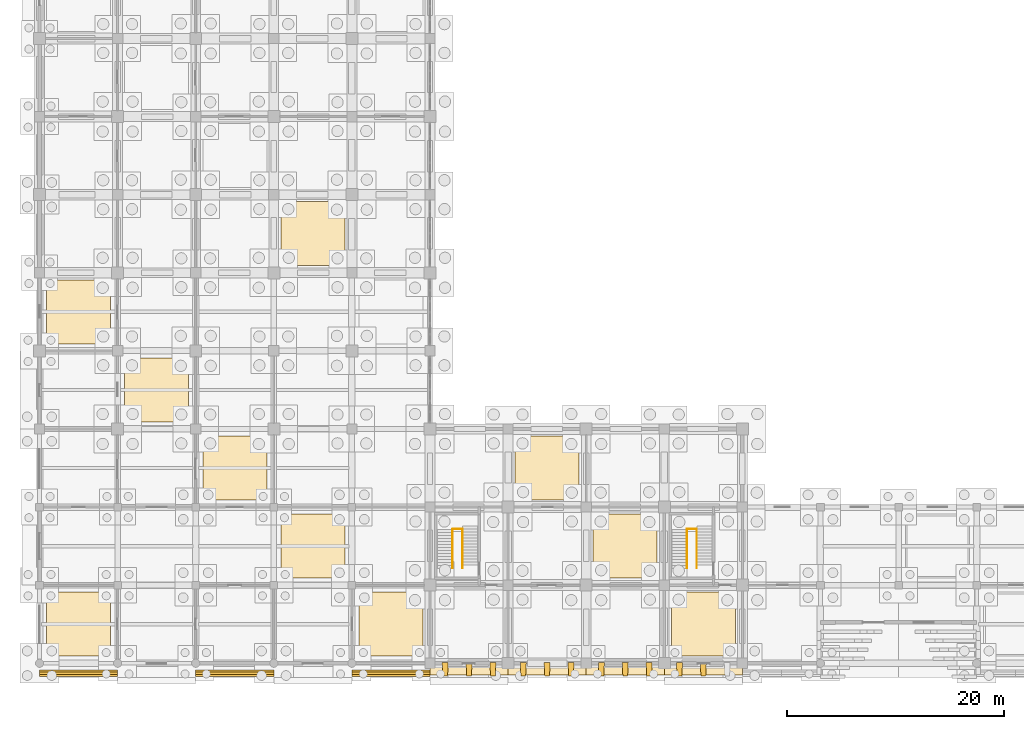
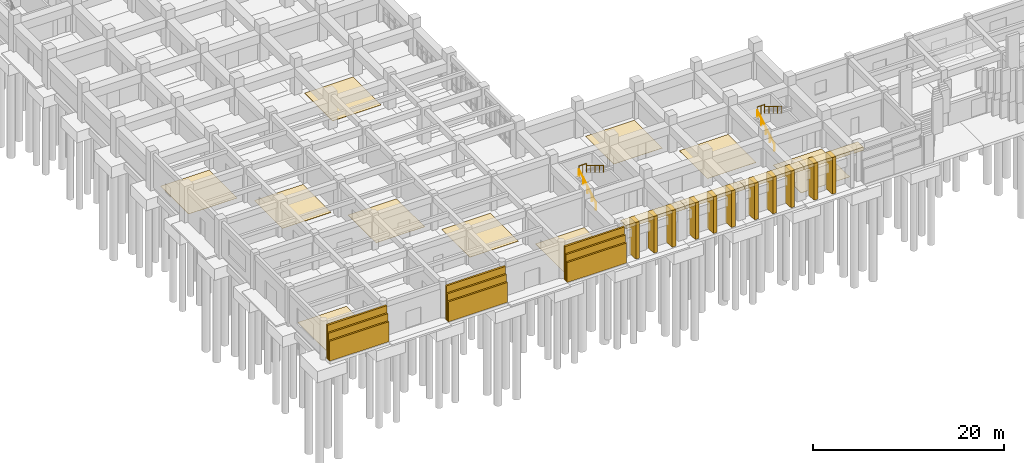
# One storey, part 71 of 79: 34 coverings, 6 railings.
"""IFC4 building model written with IfcOpenShell, lengths in metres."""

from ifc_helpers import new_model, si_unit, direction, frame, origin, origin_2d, place, context, subcontext, project, spatial, polyline, circle, outline, extrude, material, layer, layer_set, type_object, element, save


model = new_model("IFC4")

# Units and contexts
model_context = context("Model", 3, precision=1e-05, world=origin(), true_north=direction((0.0, 1.0)))
body_context = subcontext(model_context, "Body", "Model", "MODEL_VIEW")
ifc_project = project(units=[si_unit("LENGTHUNIT", "METRE"), si_unit("AREAUNIT", "SQUARE_METRE"), si_unit("VOLUMEUNIT", "CUBIC_METRE"), si_unit("PLANEANGLEUNIT", "RADIAN"), si_unit("MASSUNIT", "GRAM", prefix="KILO")], contexts=[model_context])

# Site, building, storey
site_placement = place(None, origin())
site = spatial("IfcSite", under=ifc_project, at=site_placement, CompositionType="ELEMENT")
building_placement = place(site_placement, origin())
building = spatial("IfcBuilding", under=site, at=building_placement, Name="Kavelor Marine Aquarium", CompositionType="ELEMENT")
storey_placement = place(building_placement, origin())
storey = spatial("IfcBuildingStorey", under=building, at=storey_placement, Name="L00", CompositionType="ELEMENT", Elevation=0.0)

# Coverings
ifc_material_1 = material(Name="Concrete C45/55", Category="concrete")
ifc_layer_1 = layer(ifc_material_1, 0.300048828125)
ifc_layer_set_1 = layer_set([ifc_layer_1], Name="COV-BND1")
covering_type_1 = type_object("IfcCoveringType", Name="COV-BND1", PredefinedType="CLADDING", material=ifc_layer_set_1)
covering_1_placement = place(storey_placement, origin())
element("IfcCovering", 1, at=covering_1_placement, inside=storey, type_object=covering_type_1, Name="band:v2s:1:00", PredefinedType="CLADDING", context=body_context, shape_type="SweptSolid", body=[
    extrude(outline(polyline([(3.199951171875, 1.56005859375), (10.39990234375, 1.56005859375), (10.39990234375, 1.780029296875), (3.199951171875, 1.780029296875), (3.199951171875, 1.56005859375)])), origin(), (0.0, 0.0, 1.0), 2.550048828125),
])
covering_2_placement = place(storey_placement, origin())
element("IfcCovering", 2, at=covering_2_placement, inside=storey, type_object=covering_type_1, Name="band:v2s:1:02", PredefinedType="CLADDING", context=body_context, shape_type="SweptSolid", body=[
    extrude(outline(polyline([(17.60009765625, 1.56005859375), (24.800048828125, 1.56005859375), (24.800048828125, 1.780029296875), (17.60009765625, 1.780029296875), (17.60009765625, 1.56005859375)])), origin(), (0.0, 0.0, 1.0), 2.550048828125),
])
covering_3_placement = place(storey_placement, origin())
element("IfcCovering", 3, at=covering_3_placement, inside=storey, type_object=covering_type_1, Name="band:v2s:1:04", PredefinedType="CLADDING", context=body_context, shape_type="SweptSolid", body=[
    extrude(outline(polyline([(32.0, 1.56005859375), (39.199951171875, 1.56005859375), (39.199951171875, 1.780029296875), (32.0, 1.780029296875), (32.0, 1.56005859375)])), origin(), (0.0, 0.0, 1.0), 2.550048828125),
])
ifc_material_2 = material(Name="Concrete C45/55", Category="concrete")
ifc_layer_2 = layer(ifc_material_2, 0.320068359375)
ifc_layer_set_2 = layer_set([ifc_layer_2], Name="COV-BND2")
covering_type_2 = type_object("IfcCoveringType", Name="COV-BND2", PredefinedType="CLADDING", material=ifc_layer_set_2)
covering_4_placement = place(storey_placement, origin())
element("IfcCovering", 4, at=covering_4_placement, inside=storey, type_object=covering_type_2, Name="band:v2s:2:00", PredefinedType="CLADDING", context=body_context, shape_type="SweptSolid", body=[
    extrude(outline(polyline([(3.199951171875, 1.77001953125), (10.39990234375, 1.77001953125), (10.39990234375, 1.989990234375), (3.199951171875, 1.989990234375), (3.199951171875, 1.77001953125)])), origin(), (0.0, 0.0, 1.0), 3.449951171875),
])
covering_5_placement = place(storey_placement, origin())
element("IfcCovering", 5, at=covering_5_placement, inside=storey, type_object=covering_type_2, Name="band:v2s:2:02", PredefinedType="CLADDING", context=body_context, shape_type="SweptSolid", body=[
    extrude(outline(polyline([(17.60009765625, 1.77001953125), (24.800048828125, 1.77001953125), (24.800048828125, 1.989990234375), (17.60009765625, 1.989990234375), (17.60009765625, 1.77001953125)])), origin(), (0.0, 0.0, 1.0), 3.449951171875),
])
covering_6_placement = place(storey_placement, origin())
element("IfcCovering", 6, at=covering_6_placement, inside=storey, type_object=covering_type_2, Name="band:v2s:2:04", PredefinedType="CLADDING", context=body_context, shape_type="SweptSolid", body=[
    extrude(outline(polyline([(32.0, 1.77001953125), (39.199951171875, 1.77001953125), (39.199951171875, 1.989990234375), (32.0, 1.989990234375), (32.0, 1.77001953125)])), origin(), (0.0, 0.0, 1.0), 3.449951171875),
])
ifc_material_3 = material(Name="Concrete C45/55", Category="concrete")
ifc_layer_3 = layer(ifc_material_3, 0.340087890625)
ifc_layer_set_3 = layer_set([ifc_layer_3], Name="COV-BND3")
covering_type_3 = type_object("IfcCoveringType", Name="COV-BND3", PredefinedType="CLADDING", material=ifc_layer_set_3)
covering_7_placement = place(storey_placement, origin())
element("IfcCovering", 7, at=covering_7_placement, inside=storey, type_object=covering_type_3, Name="band:v2s:3:00", PredefinedType="CLADDING", context=body_context, shape_type="SweptSolid", body=[
    extrude(outline(polyline([(3.199951171875, 1.97998046875), (10.39990234375, 1.97998046875), (10.39990234375, 2.199951171875), (3.199951171875, 2.199951171875), (3.199951171875, 1.97998046875)])), origin(), (0.0, 0.0, 1.0), 4.35009765625),
])
covering_8_placement = place(storey_placement, origin())
element("IfcCovering", 8, at=covering_8_placement, inside=storey, type_object=covering_type_3, Name="band:v2s:3:02", PredefinedType="CLADDING", context=body_context, shape_type="SweptSolid", body=[
    extrude(outline(polyline([(17.60009765625, 1.97998046875), (24.800048828125, 1.97998046875), (24.800048828125, 2.199951171875), (17.60009765625, 2.199951171875), (17.60009765625, 1.97998046875)])), origin(), (0.0, 0.0, 1.0), 4.35009765625),
])
covering_9_placement = place(storey_placement, origin())
element("IfcCovering", 9, at=covering_9_placement, inside=storey, type_object=covering_type_3, Name="band:v2s:3:04", PredefinedType="CLADDING", context=body_context, shape_type="SweptSolid", body=[
    extrude(outline(polyline([(32.0, 1.97998046875), (39.199951171875, 1.97998046875), (39.199951171875, 2.199951171875), (32.0, 2.199951171875), (32.0, 1.97998046875)])), origin(), (0.0, 0.0, 1.0), 4.35009765625),
])
ifc_material_4 = material(Name="Polished Coastal Terrazzo Flooring")
ifc_layer_4 = layer(ifc_material_4, 0.030029296875)
ifc_layer_set_4 = layer_set([ifc_layer_4], Name="COV-FL1")
covering_type_4 = type_object("IfcCoveringType", Name="COV-FL1", PredefinedType="FLOORING", material=ifc_layer_set_4)
covering_10_placement = place(storey_placement, origin())
element("IfcCovering", 10, at=covering_10_placement, inside=storey, type_object=covering_type_4, Name="flr:L00:00_00", PredefinedType="FLOORING", context=body_context, shape_type="SweptSolid", body=[
    extrude(outline(polyline([(3.85009765625, 3.449951171875), (9.75, 3.449951171875), (9.75, 9.35009765625), (3.85009765625, 9.35009765625), (3.85009765625, 3.449951171875)])), origin(), (0.0, 0.0, 1.0), 0.030029296875),
])
covering_11_placement = place(storey_placement, origin())
element("IfcCovering", 11, at=covering_11_placement, inside=storey, type_object=covering_type_4, Name="flr:L00:00_04", PredefinedType="FLOORING", context=body_context, shape_type="SweptSolid", body=[
    extrude(outline(polyline([(3.85009765625, 32.25), (9.75, 32.25), (9.75, 38.14990234375), (3.85009765625, 38.14990234375), (3.85009765625, 32.25)])), origin(), (0.0, 0.0, 1.0), 0.030029296875),
])
covering_12_placement = place(storey_placement, origin())
element("IfcCovering", 12, at=covering_12_placement, inside=storey, type_object=covering_type_4, Name="flr:L00:01_03", PredefinedType="FLOORING", context=body_context, shape_type="SweptSolid", body=[
    extrude(outline(polyline([(11.050048828125, 25.050048828125), (16.949951171875, 25.050048828125), (16.949951171875, 30.949951171875), (11.050048828125, 30.949951171875), (11.050048828125, 25.050048828125)])), origin(), (0.0, 0.0, 1.0), 0.030029296875),
])
covering_13_placement = place(storey_placement, origin())
element("IfcCovering", 13, at=covering_13_placement, inside=storey, type_object=covering_type_4, Name="flr:L00:02_02", PredefinedType="FLOORING", context=body_context, shape_type="SweptSolid", body=[
    extrude(outline(polyline([(18.25, 17.85009765625), (24.14990234375, 17.85009765625), (24.14990234375, 23.75), (18.25, 23.75), (18.25, 17.85009765625)])), origin(), (0.0, 0.0, 1.0), 0.030029296875),
])
covering_14_placement = place(storey_placement, origin())
element("IfcCovering", 14, at=covering_14_placement, inside=storey, type_object=covering_type_4, Name="flr:L00:03_01", PredefinedType="FLOORING", context=body_context, shape_type="SweptSolid", body=[
    extrude(outline(polyline([(25.449951171875, 10.64990234375), (31.35009765625, 10.64990234375), (31.35009765625, 16.550048828125), (25.449951171875, 16.550048828125), (25.449951171875, 10.64990234375)])), origin(), (0.0, 0.0, 1.0), 0.030029296875),
])
covering_15_placement = place(storey_placement, origin())
element("IfcCovering", 15, at=covering_15_placement, inside=storey, type_object=covering_type_4, Name="flr:L00:03_05", PredefinedType="FLOORING", context=body_context, shape_type="SweptSolid", body=[
    extrude(outline(polyline([(25.449951171875, 39.449951171875), (31.35009765625, 39.449951171875), (31.35009765625, 45.35009765625), (25.449951171875, 45.35009765625), (25.449951171875, 39.449951171875)])), origin(), (0.0, 0.0, 1.0), 0.030029296875),
])
covering_16_placement = place(storey_placement, origin())
element("IfcCovering", 16, at=covering_16_placement, inside=storey, type_object=covering_type_4, Name="flr:L00:04_00", PredefinedType="FLOORING", context=body_context, shape_type="SweptSolid", body=[
    extrude(outline(polyline([(32.64990234375, 3.449951171875), (38.550048828125, 3.449951171875), (38.550048828125, 9.35009765625), (32.64990234375, 9.35009765625), (32.64990234375, 3.449951171875)])), origin(), (0.0, 0.0, 1.0), 0.030029296875),
])
covering_17_placement = place(storey_placement, origin())
element("IfcCovering", 17, at=covering_17_placement, inside=storey, type_object=covering_type_4, Name="flr:L00:07_01", PredefinedType="FLOORING", context=body_context, shape_type="SweptSolid", body=[
    extrude(outline(polyline([(54.25, 10.64990234375), (60.14990234375, 10.64990234375), (60.14990234375, 16.550048828125), (54.25, 16.550048828125), (54.25, 10.64990234375)])), origin(), (0.0, 0.0, 1.0), 0.030029296875),
])
covering_18_placement = place(storey_placement, origin())
element("IfcCovering", 18, at=covering_18_placement, inside=storey, type_object=covering_type_4, Name="flr:L00:08_00", PredefinedType="FLOORING", context=body_context, shape_type="SweptSolid", body=[
    extrude(outline(polyline([(61.449951171875, 3.449951171875), (67.35009765625, 3.449951171875), (67.35009765625, 9.35009765625), (61.449951171875, 9.35009765625), (61.449951171875, 3.449951171875)])), origin(), (0.0, 0.0, 1.0), 0.030029296875),
])
ifc_material_5 = material(Name="Slip-Resistant Marine Epoxy Husbandry Flooring")
ifc_layer_5 = layer(ifc_material_5, 0.02490234375)
ifc_layer_set_5 = layer_set([ifc_layer_5], Name="COV-FL2")
covering_type_5 = type_object("IfcCoveringType", Name="COV-FL2", PredefinedType="FLOORING", material=ifc_layer_set_5)
covering_19_placement = place(storey_placement, origin())
element("IfcCovering", 19, at=covering_19_placement, inside=storey, type_object=covering_type_5, Name="flr:L00:06_02", PredefinedType="FLOORING", context=body_context, shape_type="SweptSolid", body=[
    extrude(outline(polyline([(47.050048828125, 17.85009765625), (52.949951171875, 17.85009765625), (52.949951171875, 23.75), (47.050048828125, 23.75), (47.050048828125, 17.85009765625)])), origin(), (0.0, 0.0, 1.0), 0.02490234375),
])
ifc_material_6 = material(Name="Sculptural Board-Marked Concrete C45/55 Bastion Rib", Category="concrete")
ifc_layer_6 = layer(ifc_material_6, 0.360107421875)
ifc_layer_set_6 = layer_set([ifc_layer_6], Name="COV-RB1")
covering_type_6 = type_object("IfcCoveringType", Name="COV-RB1", PredefinedType="CLADDING", material=ifc_layer_set_6)
covering_20_placement = place(storey_placement, origin())
element("IfcCovering", 20, at=covering_20_placement, inside=storey, type_object=covering_type_6, Name="bastion:rib:L00:05:0", PredefinedType="CLADDING", context=body_context, shape_type="SweptSolid", body=[
    extrude(outline(polyline([(40.3798828125, 1.639892578125), (40.820068359375, 1.639892578125), (40.8798828125, 2.85009765625), (40.320068359375, 2.85009765625), (40.3798828125, 1.639892578125)])), origin(), (0.0, 0.0, 1.0), 4.679931640625),
])
covering_21_placement = place(storey_placement, origin())
element("IfcCovering", 21, at=covering_21_placement, inside=storey, type_object=covering_type_6, Name="bastion:rib:L00:05:1", PredefinedType="CLADDING", context=body_context, shape_type="SweptSolid", body=[
    extrude(outline(polyline([(42.580078125, 1.639892578125), (43.02001953125, 1.639892578125), (43.080078125, 2.85009765625), (42.52001953125, 2.85009765625), (42.580078125, 1.639892578125)])), origin(), (0.0, 0.0, 1.0), 4.679931640625),
])
covering_22_placement = place(storey_placement, origin())
element("IfcCovering", 22, at=covering_22_placement, inside=storey, type_object=covering_type_6, Name="bastion:rib:L00:05:2", PredefinedType="CLADDING", context=body_context, shape_type="SweptSolid", body=[
    extrude(outline(polyline([(44.780029296875, 1.639892578125), (45.219970703125, 1.639892578125), (45.280029296875, 2.85009765625), (44.719970703125, 2.85009765625), (44.780029296875, 1.639892578125)])), origin(), (0.0, 0.0, 1.0), 4.679931640625),
])
covering_23_placement = place(storey_placement, frame((0.0, 0.0, 4.260009765625)))
element("IfcCovering", 23, at=covering_23_placement, inside=storey, type_object=covering_type_6, Name="bastion:band:L00:05", PredefinedType="CLADDING", context=body_context, shape_type="SweptSolid", body=[
    extrude(outline(polyline([(39.199951171875, 1.719970703125), (46.39990234375, 1.719970703125), (46.39990234375, 2.85009765625), (39.199951171875, 2.85009765625), (39.199951171875, 1.719970703125)])), origin(), (0.0, 0.0, 1.0), 0.419921875),
])
covering_24_placement = place(storey_placement, origin())
element("IfcCovering", 24, at=covering_24_placement, inside=storey, type_object=covering_type_6, Name="bastion:rib:L00:06:0", PredefinedType="CLADDING", context=body_context, shape_type="SweptSolid", body=[
    extrude(outline(polyline([(47.580078125, 1.639892578125), (48.02001953125, 1.639892578125), (48.080078125, 2.85009765625), (47.52001953125, 2.85009765625), (47.580078125, 1.639892578125)])), origin(), (0.0, 0.0, 1.0), 4.679931640625),
])
covering_25_placement = place(storey_placement, origin())
element("IfcCovering", 25, at=covering_25_placement, inside=storey, type_object=covering_type_6, Name="bastion:rib:L00:06:1", PredefinedType="CLADDING", context=body_context, shape_type="SweptSolid", body=[
    extrude(outline(polyline([(49.780029296875, 1.639892578125), (50.219970703125, 1.639892578125), (50.280029296875, 2.85009765625), (49.719970703125, 2.85009765625), (49.780029296875, 1.639892578125)])), origin(), (0.0, 0.0, 1.0), 4.679931640625),
])
covering_26_placement = place(storey_placement, origin())
element("IfcCovering", 26, at=covering_26_placement, inside=storey, type_object=covering_type_6, Name="bastion:rib:L00:06:2", PredefinedType="CLADDING", context=body_context, shape_type="SweptSolid", body=[
    extrude(outline(polyline([(51.97998046875, 1.639892578125), (52.419921875, 1.639892578125), (52.47998046875, 2.85009765625), (51.919921875, 2.85009765625), (51.97998046875, 1.639892578125)])), origin(), (0.0, 0.0, 1.0), 4.679931640625),
])
covering_27_placement = place(storey_placement, frame((0.0, 0.0, 4.260009765625)))
element("IfcCovering", 27, at=covering_27_placement, inside=storey, type_object=covering_type_6, Name="bastion:band:L00:06", PredefinedType="CLADDING", context=body_context, shape_type="SweptSolid", body=[
    extrude(outline(polyline([(46.39990234375, 1.719970703125), (53.60009765625, 1.719970703125), (53.60009765625, 2.85009765625), (46.39990234375, 2.85009765625), (46.39990234375, 1.719970703125)])), origin(), (0.0, 0.0, 1.0), 0.419921875),
])
covering_28_placement = place(storey_placement, origin())
element("IfcCovering", 28, at=covering_28_placement, inside=storey, type_object=covering_type_6, Name="bastion:rib:L00:07:0", PredefinedType="CLADDING", context=body_context, shape_type="SweptSolid", body=[
    extrude(outline(polyline([(54.780029296875, 1.639892578125), (55.219970703125, 1.639892578125), (55.280029296875, 2.85009765625), (54.719970703125, 2.85009765625), (54.780029296875, 1.639892578125)])), origin(), (0.0, 0.0, 1.0), 4.679931640625),
])
covering_29_placement = place(storey_placement, origin())
element("IfcCovering", 29, at=covering_29_placement, inside=storey, type_object=covering_type_6, Name="bastion:rib:L00:07:1", PredefinedType="CLADDING", context=body_context, shape_type="SweptSolid", body=[
    extrude(outline(polyline([(56.97998046875, 1.639892578125), (57.419921875, 1.639892578125), (57.47998046875, 2.85009765625), (56.919921875, 2.85009765625), (56.97998046875, 1.639892578125)])), origin(), (0.0, 0.0, 1.0), 4.679931640625),
])
covering_30_placement = place(storey_placement, origin())
element("IfcCovering", 30, at=covering_30_placement, inside=storey, type_object=covering_type_6, Name="bastion:rib:L00:07:2", PredefinedType="CLADDING", context=body_context, shape_type="SweptSolid", body=[
    extrude(outline(polyline([(59.179931640625, 1.639892578125), (59.6201171875, 1.639892578125), (59.679931640625, 2.85009765625), (59.1201171875, 2.85009765625), (59.179931640625, 1.639892578125)])), origin(), (0.0, 0.0, 1.0), 4.679931640625),
])
covering_31_placement = place(storey_placement, frame((0.0, 0.0, 4.260009765625)))
element("IfcCovering", 31, at=covering_31_placement, inside=storey, type_object=covering_type_6, Name="bastion:band:L00:07", PredefinedType="CLADDING", context=body_context, shape_type="SweptSolid", body=[
    extrude(outline(polyline([(53.60009765625, 1.719970703125), (60.800048828125, 1.719970703125), (60.800048828125, 2.85009765625), (53.60009765625, 2.85009765625), (53.60009765625, 1.719970703125)])), origin(), (0.0, 0.0, 1.0), 0.419921875),
])
covering_32_placement = place(storey_placement, origin())
element("IfcCovering", 32, at=covering_32_placement, inside=storey, type_object=covering_type_6, Name="bastion:rib:L00:08:0", PredefinedType="CLADDING", context=body_context, shape_type="SweptSolid", body=[
    extrude(outline(polyline([(61.97998046875, 1.639892578125), (62.419921875, 1.639892578125), (62.47998046875, 2.85009765625), (61.919921875, 2.85009765625), (61.97998046875, 1.639892578125)])), origin(), (0.0, 0.0, 1.0), 4.679931640625),
])
covering_33_placement = place(storey_placement, origin())
element("IfcCovering", 33, at=covering_33_placement, inside=storey, type_object=covering_type_6, Name="bastion:rib:L00:08:1", PredefinedType="CLADDING", context=body_context, shape_type="SweptSolid", body=[
    extrude(outline(polyline([(64.179931640625, 1.639892578125), (64.6201171875, 1.639892578125), (64.679931640625, 2.85009765625), (64.1201171875, 2.85009765625), (64.179931640625, 1.639892578125)])), origin(), (0.0, 0.0, 1.0), 4.679931640625),
])
covering_34_placement = place(storey_placement, frame((0.0, 0.0, 4.260009765625)))
element("IfcCovering", 34, at=covering_34_placement, inside=storey, type_object=covering_type_6, Name="bastion:band:L00:08", PredefinedType="CLADDING", context=body_context, shape_type="SweptSolid", body=[
    extrude(outline(polyline([(60.800048828125, 1.719970703125), (68.0, 1.719970703125), (68.0, 2.85009765625), (60.800048828125, 2.85009765625), (60.800048828125, 1.719970703125)])), origin(), (0.0, 0.0, 1.0), 0.419921875),
])

# Railings
ifc_material_7 = material(Name="Brushed Stainless Steel Wall and Flight Handrail", Category="steel")
railing_type_1 = type_object("IfcRailingType", Name="RL-HR1", PredefinedType="HANDRAIL", material=ifc_material_7)
railing_1_placement = place(storey_placement, frame((41.2900390625, 11.56005859375, 0.0)))
element("IfcRailing", 35, at=railing_1_placement, inside=storey, type_object=railing_type_1, Name="Stair Handrail ST04-1", PredefinedType="HANDRAIL", context=body_context, shape_type="SweptSolid", body=[
    extrude(circle(Radius=0.02001953125, at=origin_2d()), frame((0.0, 0.0, 0.8798828125), z_axis=(0.0, 0.854538701388, 0.519387723988), x_axis=(-1.0, 0.0, 0.0)), (0.0, 0.0, 1.0), 4.18359375),
    extrude(circle(Radius=0.01806640625, at=origin_2d()), origin(), (0.0, 0.0, 1.0), 0.85986328125),
    extrude(circle(Radius=0.01806640625, at=origin_2d()), frame((0.0, 0.893798828125, 0.543212890625)), (0.0, 0.0, 1.0), 0.85986328125),
    extrude(circle(Radius=0.01806640625, at=origin_2d()), frame((0.0, 1.78759765625, 1.08642578125)), (0.0, 0.0, 1.0), 0.85986328125),
    extrude(circle(Radius=0.01806640625, at=origin_2d()), frame((0.0, 2.68115234375, 1.629638671875)), (0.0, 0.0, 1.0), 0.85986328125),
    extrude(circle(Radius=0.01806640625, at=origin_2d()), frame((0.0, 3.574951171875, 2.1728515625)), (0.0, 0.0, 1.0), 0.85986328125),
])
railing_2_placement = place(storey_placement, frame((42.18994140625, 15.135009765625, 2.340087890625)))
element("IfcRailing", 36, at=railing_2_placement, inside=storey, type_object=railing_type_1, Name="Stair Handrail ST04-2", PredefinedType="HANDRAIL", context=body_context, shape_type="SweptSolid", body=[
    extrude(circle(Radius=0.02001953125, at=origin_2d()), frame((0.0, 0.0, 0.8798828125), z_axis=(0.0, -0.854538701388, 0.519387723988), x_axis=(1.0, 0.0, 0.0)), (0.0, 0.0, 1.0), 4.18359375),
    extrude(circle(Radius=0.01806640625, at=origin_2d()), origin(), (0.0, 0.0, 1.0), 0.85986328125),
    extrude(circle(Radius=0.01806640625, at=origin_2d()), frame((0.0, -0.893798828125, 0.543212890625)), (0.0, 0.0, 1.0), 0.85986328125),
    extrude(circle(Radius=0.01806640625, at=origin_2d()), frame((0.0, -1.78759765625, 1.08642578125)), (0.0, 0.0, 1.0), 0.85986328125),
    extrude(circle(Radius=0.01806640625, at=origin_2d()), frame((0.0, -2.68115234375, 1.629638671875)), (0.0, 0.0, 1.0), 0.85986328125),
    extrude(circle(Radius=0.01806640625, at=origin_2d()), frame((0.0, -3.574951171875, 2.1728515625)), (0.0, 0.0, 1.0), 0.85986328125),
])
railing_3_placement = place(storey_placement, frame((62.889892578125, 11.56005859375, 0.0)))
element("IfcRailing", 37, at=railing_3_placement, inside=storey, type_object=railing_type_1, Name="Stair Handrail ST12-1", PredefinedType="HANDRAIL", context=body_context, shape_type="SweptSolid", body=[
    extrude(circle(Radius=0.02001953125, at=origin_2d()), frame((0.0, 0.0, 0.8798828125), z_axis=(0.0, 0.854538701388, 0.519387723988), x_axis=(-1.0, 0.0, 0.0)), (0.0, 0.0, 1.0), 4.18359375),
    extrude(circle(Radius=0.01806640625, at=origin_2d()), origin(), (0.0, 0.0, 1.0), 0.85986328125),
    extrude(circle(Radius=0.01806640625, at=origin_2d()), frame((0.0, 0.893798828125, 0.543212890625)), (0.0, 0.0, 1.0), 0.85986328125),
    extrude(circle(Radius=0.01806640625, at=origin_2d()), frame((0.0, 1.78759765625, 1.08642578125)), (0.0, 0.0, 1.0), 0.85986328125),
    extrude(circle(Radius=0.01806640625, at=origin_2d()), frame((0.0, 2.68115234375, 1.629638671875)), (0.0, 0.0, 1.0), 0.85986328125),
    extrude(circle(Radius=0.01806640625, at=origin_2d()), frame((0.0, 3.574951171875, 2.1728515625)), (0.0, 0.0, 1.0), 0.85986328125),
])
railing_4_placement = place(storey_placement, frame((63.7900390625, 15.135009765625, 2.340087890625)))
element("IfcRailing", 38, at=railing_4_placement, inside=storey, type_object=railing_type_1, Name="Stair Handrail ST12-2", PredefinedType="HANDRAIL", context=body_context, shape_type="SweptSolid", body=[
    extrude(circle(Radius=0.02001953125, at=origin_2d()), frame((0.0, 0.0, 0.8798828125), z_axis=(0.0, -0.854538701388, 0.519387723988), x_axis=(1.0, 0.0, 0.0)), (0.0, 0.0, 1.0), 4.18359375),
    extrude(circle(Radius=0.01806640625, at=origin_2d()), origin(), (0.0, 0.0, 1.0), 0.85986328125),
    extrude(circle(Radius=0.01806640625, at=origin_2d()), frame((0.0, -0.893798828125, 0.543212890625)), (0.0, 0.0, 1.0), 0.85986328125),
    extrude(circle(Radius=0.01806640625, at=origin_2d()), frame((0.0, -1.78759765625, 1.08642578125)), (0.0, 0.0, 1.0), 0.85986328125),
    extrude(circle(Radius=0.01806640625, at=origin_2d()), frame((0.0, -2.68115234375, 1.629638671875)), (0.0, 0.0, 1.0), 0.85986328125),
    extrude(circle(Radius=0.01806640625, at=origin_2d()), frame((0.0, -3.574951171875, 2.1728515625)), (0.0, 0.0, 1.0), 0.85986328125),
])
ifc_material_8 = material(Name="Brushed Stainless Steel Stair Guardrail", Category="steel")
railing_type_2 = type_object("IfcRailingType", Name="RL-SG1", PredefinedType="GUARDRAIL", material=ifc_material_8)
railing_5_placement = place(storey_placement, frame((41.2900390625, 15.1650390625, 2.340087890625)))
element("IfcRailing", 39, at=railing_5_placement, inside=storey, type_object=railing_type_2, Name="Landing Guardrail ST04-M", PredefinedType="GUARDRAIL", context=body_context, shape_type="SweptSolid", body=[
    extrude(circle(Radius=0.0224609375, at=origin_2d()), frame((0.0, 0.0, 1.09765625), z_axis=(1.0, 0.0, 0.0), x_axis=(0.0, 1.0, 0.0)), (0.0, 0.0, 1.0), 0.89990234375),
    extrude(circle(Radius=0.02099609375, at=origin_2d()), origin(), (0.0, 0.0, 1.0), 1.0751953125),
    extrude(circle(Radius=0.02099609375, at=origin_2d()), frame((0.449951171875, 0.0, 0.0)), (0.0, 0.0, 1.0), 1.0751953125),
    extrude(circle(Radius=0.02099609375, at=origin_2d()), frame((0.89990234375, 0.0, 0.0)), (0.0, 0.0, 1.0), 1.0751953125),
])
railing_6_placement = place(storey_placement, frame((62.889892578125, 15.1650390625, 2.340087890625)))
element("IfcRailing", 40, at=railing_6_placement, inside=storey, type_object=railing_type_2, Name="Landing Guardrail ST12-M", PredefinedType="GUARDRAIL", context=body_context, shape_type="SweptSolid", body=[
    extrude(circle(Radius=0.0224609375, at=origin_2d()), frame((0.0, 0.0, 1.09765625), z_axis=(1.0, 0.0, 0.0), x_axis=(0.0, 1.0, 0.0)), (0.0, 0.0, 1.0), 0.900146484375),
    extrude(circle(Radius=0.02099609375, at=origin_2d()), origin(), (0.0, 0.0, 1.0), 1.0751953125),
    extrude(circle(Radius=0.02099609375, at=origin_2d()), frame((0.4501953125, 0.0, 0.0)), (0.0, 0.0, 1.0), 1.0751953125),
    extrude(circle(Radius=0.02099609375, at=origin_2d()), frame((0.900146484375, 0.0, 0.0)), (0.0, 0.0, 1.0), 1.0751953125),
])

save(model, "model.ifc")
